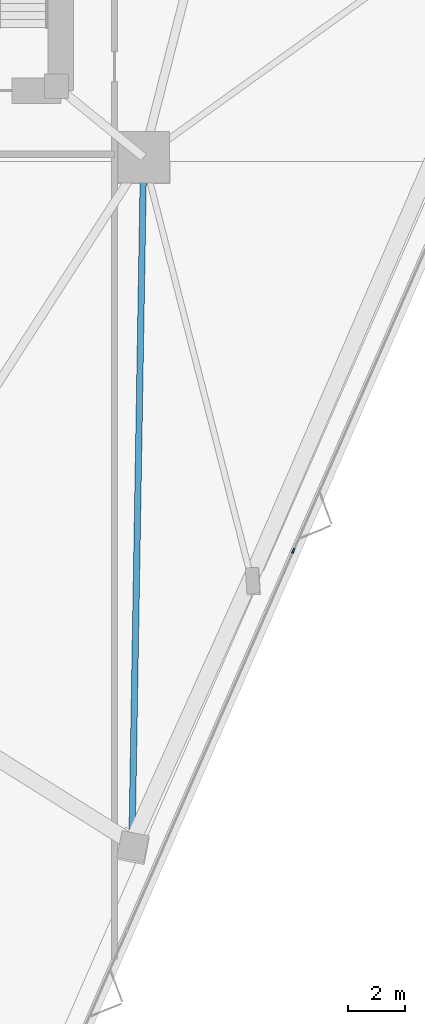
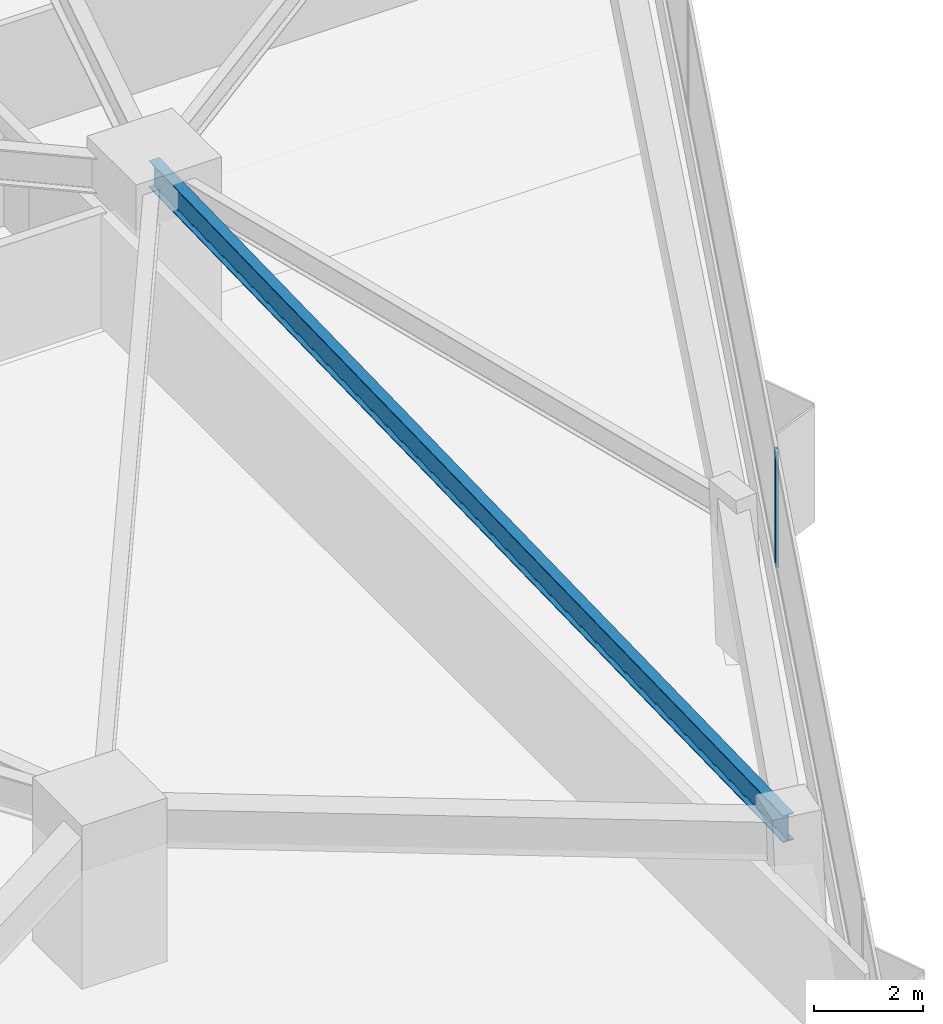
# One storey, part 5 of 21: 1 beam, 1 member, 1 element without a shape of its own.
"""IFC4 building model written with IfcOpenShell, lengths in metres."""

from ifc_helpers import new_model, si_unit, direction, frame, origin, origin_2d, place, context, subcontext, project, spatial, rectangle, i_section, extrude, material, layer, layer_set, material_profile, profile_set, type_object, element, aggregate, save


model = new_model("IFC4")

# Units and contexts
model_context = context("Model", 3, precision=1e-05, world=origin(), true_north=direction((0.0, 1.0)))
body_context = subcontext(model_context, "Body", "Model", "MODEL_VIEW")
ifc_project = project(units=[si_unit("LENGTHUNIT", "METRE"), si_unit("AREAUNIT", "SQUARE_METRE"), si_unit("VOLUMEUNIT", "CUBIC_METRE"), si_unit("PLANEANGLEUNIT", "RADIAN"), si_unit("MASSUNIT", "GRAM", prefix="KILO")], contexts=[model_context])

# Site, building, storey
site_placement = place(None, origin())
site = spatial("IfcSite", under=ifc_project, at=site_placement, CompositionType="ELEMENT")
building_placement = place(site_placement, origin())
building = spatial("IfcBuilding", under=site, at=building_placement, Name="Talyreon Biosciences Tower", CompositionType="ELEMENT")
storey_placement = place(building_placement, frame((0.0, 0.0, 33.75)))
storey = spatial("IfcBuildingStorey", under=building, at=storey_placement, Name="L08", CompositionType="ELEMENT", Elevation=33.75)

# Curtain wall, member
ifc_material_1 = material(Name="Thermally broken aluminium and low-E glazing", Category="aluminium")
ifc_layer = layer(ifc_material_1, 0.195068359375)
ifc_layer_set = layer_set([ifc_layer], Name="Thermally broken aluminium and low-E glazing")
curtain_wall_type = type_object("IfcCurtainWallType", Name="CurtainWall_Zone1WetLab", PredefinedType="NOTDEFINED", material=ifc_layer_set)
curtain_wall_placement = place(storey_placement, origin())
curtain_wall = element("IfcCurtainWall", 1, at=curtain_wall_placement, inside=storey, type_object=curtain_wall_type, Name="L08 Unitised Curtain Wall FCW-L08-08", PredefinedType="NOTDEFINED")
ifc_material_2 = material(Name="Anodised thermally broken aluminium", Category="aluminium")
ifc_material_profile_1 = material_profile(ifc_material_2, rectangle(XDim=0.06494140625, YDim=0.179931640625, at=origin_2d()), Name="ALUM MULLION 65x180")
ifc_profile_set_1 = profile_set([ifc_material_profile_1], Name="Anodised thermally broken aluminium")
member_type = type_object("IfcMemberType", Name="CWMullion_65x180", PredefinedType="MULLION", material=ifc_profile_set_1)
member_placement = place(storey_placement, frame((82.308349609375, 45.146240234375, 0.81005859375), z_axis=(0.0, 0.0, 1.0), x_axis=(0.915980408101, -0.401222995321, 0.0)))
member = element("IfcMember", 2, at=member_placement, type_object=member_type, Name="CW2 mullion 4", PredefinedType="MULLION", context=body_context, shape_type="SweptSolid", body=[
    extrude(rectangle(XDim=0.06494140625, YDim=0.179931640625, at=origin_2d()), origin(), (0.0, 0.0, 1.0), 2.56494140625),
])
aggregate(curtain_wall, [member])

# Beam
ifc_material_3 = material(Name="Steel SM355", Category="steel")
ifc_material_profile_2 = material_profile(ifc_material_3, i_section(OverallWidth=0.219970703125, OverallDepth=0.60009765625, WebThickness=0.011962890625, FlangeThickness=0.01904296875, FilletRadius=0.02392578125, at=origin_2d()), Name="IPE600")
ifc_profile_set_2 = profile_set([ifc_material_profile_2], Name="Steel SM355")
beam_type = type_object("IfcBeamType", Name="SteelJoist_IPE600", PredefinedType="JOIST", material=ifc_profile_set_2)
beam_placement = place(storey_placement, frame((77.086181640625, 58.88037109375, 3.074951171875), z_axis=(-0.016944297142, -0.999856435092, 0.0), x_axis=(0.999856435092, -0.016944297142, 0.0)))
element("IfcBeam", 3, at=beam_placement, inside=storey, type_object=beam_type, Name="L08 Radial Composite Floor Joist PC-SE1", PredefinedType="JOIST", context=body_context, shape_type="SweptSolid", body=[
    extrude(i_section(OverallWidth=0.219970703125, OverallDepth=0.60009765625, WebThickness=0.011962890625, FlangeThickness=0.01904296875, FilletRadius=0.02392578125, at=origin_2d()), origin(), (0.0, 0.0, 1.0), 23.91796875),
])

save(model, "model.ifc")
